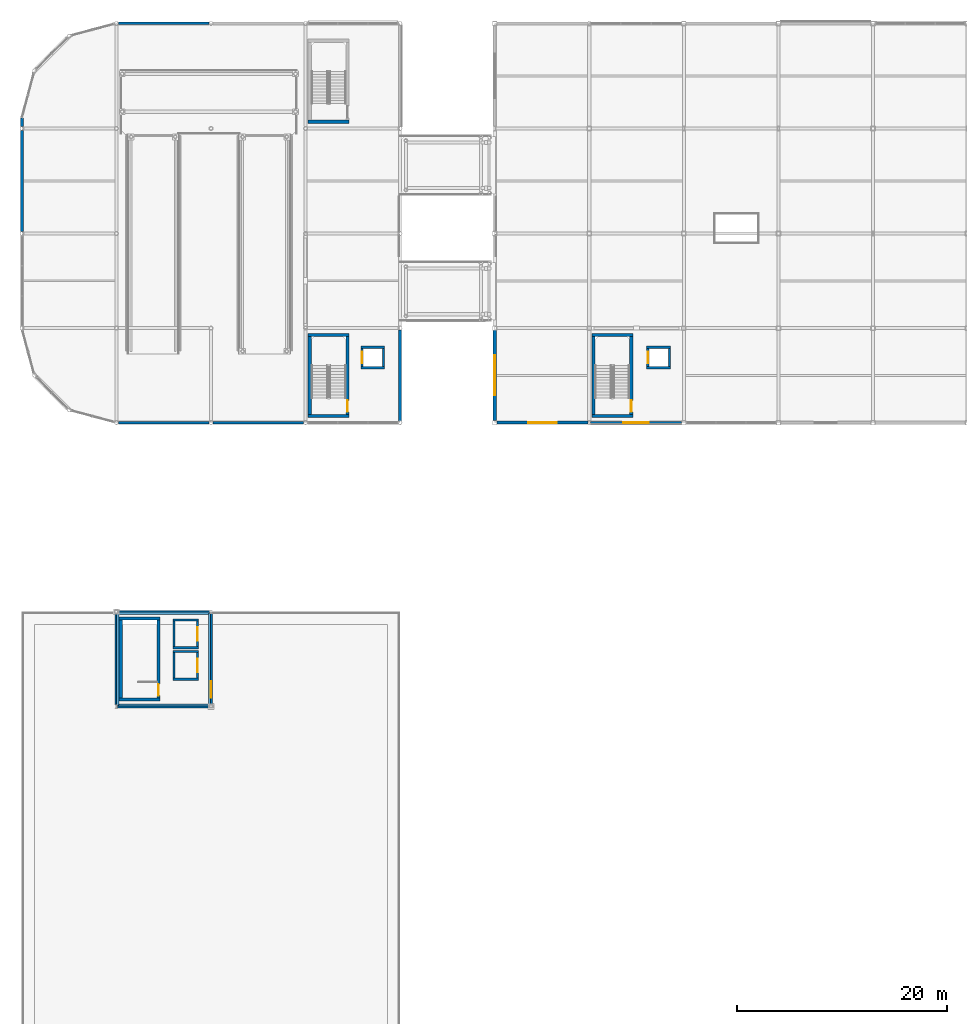
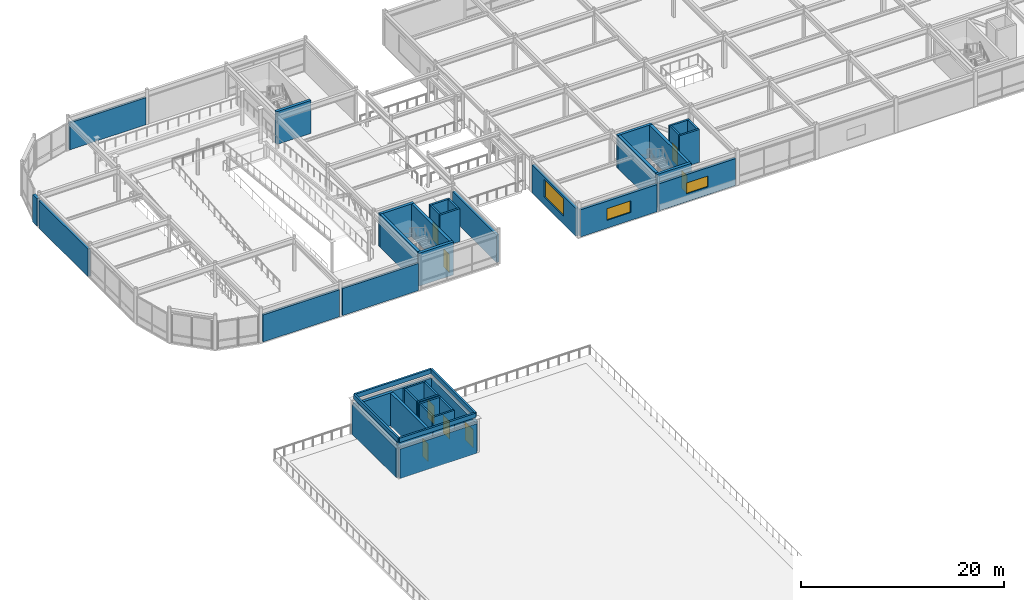
# One storey, part 46 of 70: 46 walls, 8 doors, 3 windows, 11 openings.
"""IFC4 building model written with IfcOpenShell, lengths in metres."""

from ifc_helpers import new_model, si_unit, direction, frame, frame_2d, origin, place, context, subcontext, project, spatial, rectangle, extrude, material, layer, layer_set, type_object, element, fill, save


model = new_model("IFC4")

# Units and contexts
model_context = context("Model", 3, precision=1e-05, world=origin(), true_north=direction((0.0, 1.0)))
body_context = subcontext(model_context, "Body", "Model", "MODEL_VIEW")
ifc_project = project(units=[si_unit("LENGTHUNIT", "METRE"), si_unit("AREAUNIT", "SQUARE_METRE"), si_unit("VOLUMEUNIT", "CUBIC_METRE"), si_unit("PLANEANGLEUNIT", "RADIAN"), si_unit("MASSUNIT", "GRAM", prefix="KILO")], contexts=[model_context])

# Site, building, storey
site_placement = place(None, origin())
site = spatial("IfcSite", under=ifc_project, at=site_placement, CompositionType="ELEMENT")
building_placement = place(site_placement, origin())
building = spatial("IfcBuilding", under=site, at=building_placement, Name="Suzunagisa Mobility Hub", CompositionType="ELEMENT")
storey_placement = place(building_placement, frame((0.0, 0.0, 13.5)))
storey = spatial("IfcBuildingStorey", under=building, at=storey_placement, Name="L03", CompositionType="ELEMENT", Elevation=13.5)

# Wall
ifc_material_1 = material(Name="Porcelain-Faced Insulated Concrete C30/37 Wall", Category="concrete")
ifc_layer_1 = layer(ifc_material_1, 0.260009765625)
ifc_layer_set_1 = layer_set([ifc_layer_1], Name="Porcelain-Faced Insulated Concrete C30/37 Wall")
wall_type_1 = type_object("IfcWallType", Name="Exterior Wall EW-03 260mm", PredefinedType="SOLIDWALL", material=ifc_layer_set_1)
wall_1_placement = place(storey_placement, frame((9.177734375, 80.0, 0.0), z_axis=(0.0, 0.0, 1.0), x_axis=(1.0, 0.0, 0.0)))
element("IfcWall", 1, at=wall_1_placement, inside=storey, type_object=wall_type_1, Name="L03 Exterior Facade Wall EW-122", PredefinedType="SOLIDWALL", context=body_context, shape_type="SweptSolid", body=[
    extrude(rectangle(XDim=8.64453125, YDim=0.260009765625, at=frame_2d((4.322265625, 0.0))), origin(), (0.0, 0.0, 1.0), 3.25),
])

# Wall, opening, window
wall_2_placement = place(storey_placement, frame((54.10009765625, 80.0, 0.0), z_axis=(0.0, 0.0, 1.0), x_axis=(1.0, 0.0, 0.0)))
wall_2 = element("IfcWall", 2, at=wall_2_placement, inside=storey, type_object=wall_type_1, Name="L03 Exterior Facade Wall EW-210", PredefinedType="SOLIDWALL", context=body_context, shape_type="SweptSolid", body=[
    extrude(rectangle(XDim=8.699951171875, YDim=0.260009765625, at=frame_2d((4.35009765625, 0.0))), origin(), (0.0, 0.0, 1.0), 3.25),
])
opening_1_placement = place(wall_2_placement, frame((3.14990234375, 0.0, 0.949951171875)))
opening_1 = element("IfcOpeningElement", 3, at=opening_1_placement, cuts=wall_2, Name="Opening WN-30", PredefinedType="OPENING", context=body_context, shape_type="SweptSolid", body=[
    extrude(rectangle(XDim=2.39990234375, YDim=1.300048828125, at=frame_2d((1.199951171875, 0.64990234375))), frame((0.0, 0.14111328125, 0.0), z_axis=(0.0, -1.0, 0.0), x_axis=(1.0, 0.0, 0.0)), (0.0, 0.0, 1.0), 0.281982421875),
])
ifc_material_2 = material(Name="Thermally Broken Anodized Aluminum and Low-E Double Glazing", Category="aluminium")
window_type_1 = type_object("IfcWindowType", Name="Aluminum Window WN-30 2400x1300", PartitioningType="SINGLE_PANEL", PredefinedType="WINDOW", material=ifc_material_2)
window_1_placement = place(opening_1_placement, origin())
window_1 = element("IfcWindow", 4, at=window_1_placement, inside=storey, type_object=window_type_1, Name="L03 Scheduled Facade Window WN-79", OverallHeight=1.300048828125, OverallWidth=2.39990234375, PartitioningType="SINGLE_PANEL", PredefinedType="WINDOW", context=body_context, shape_type="SweptSolid", body=[
    extrude(rectangle(XDim=2.39990234375, YDim=1.300048828125, at=frame_2d((1.199951171875, 0.64990234375))), frame((0.0, 0.030029296875, 0.0), z_axis=(0.0, -1.0, 0.0), x_axis=(1.0, 0.0, 0.0)), (0.0, 0.0, 1.0), 0.06005859375),
])
fill(opening_1, window_1)

# Walls
ifc_material_3 = material(Name="Lightweight Insulated Autoclaved Concrete C30/37 Wall", Category="concrete")
ifc_layer_2 = layer(ifc_material_3, 0.239990234375)
ifc_layer_set_2 = layer_set([ifc_layer_2], Name="Lightweight Insulated Autoclaved Concrete C30/37 Wall")
wall_type_2 = type_object("IfcWallType", Name="Exterior Wall EW-04 240mm", PredefinedType="SOLIDWALL", material=ifc_layer_set_2)
for number, where, z_axis, x_axis, name in (
    (5, (18.177734375, 80.0, 0.0), (0.0, 0.0, 1.0), (1.0, 0.0, 0.0), "L03 Exterior Facade Wall EW-123"),
    (6, (17.822265625, 118.0, 0.0), (0.0, 0.0, 1.0), (-1.0, 0.0, 0.0), "L03 Exterior Facade Wall EW-127"),
):
    element("IfcWall", number, at=place(storey_placement, frame(where, z_axis=z_axis, x_axis=x_axis)), inside=storey, type_object=wall_type_2, Name=name, PredefinedType="SOLIDWALL", context=body_context, shape_type="SweptSolid", body=[
        extrude(rectangle(XDim=8.64453125, YDim=0.239990234375, at=frame_2d((4.322265625, 0.0))), origin(), (0.0, 0.0, 1.0), 3.25),
    ])
ifc_material_4 = material(Name="Concrete C30/37", Category="concrete")
ifc_layer_3 = layer(ifc_material_4, 0.219970703125)
ifc_layer_set_3 = layer_set([ifc_layer_3], Name="Concrete C30/37")
wall_type_3 = type_object("IfcWallType", Name="Exterior Wall EW-05 220mm", PredefinedType="PARAPET", material=ifc_layer_set_3)
for number, where, z_axis, x_axis, name in (
    (7, (9.139892578125, 53.139892578125, 4.199951171875), (0.0, 0.0, 1.0), (0.0, 1.0, 0.0), "L03 Roof Setback Parapet PR-515"),
    (8, (9.139892578125, 61.860107421875, 4.199951171875), (0.0, 0.0, 1.0), (1.0, 0.0, 0.0), "L03 Roof Setback Parapet PR-516"),
    (9, (17.860107421875, 61.860107421875, 4.199951171875), (0.0, 0.0, 1.0), (0.0, -1.0, 0.0), "L03 Roof Setback Parapet PR-517"),
    (10, (17.860107421875, 53.139892578125, 4.199951171875), (0.0, 0.0, 1.0), (-1.0, 0.0, 0.0), "L03 Roof Setback Parapet PR-518"),
):
    element("IfcWall", number, at=place(storey_placement, frame(where, z_axis=z_axis, x_axis=x_axis)), inside=storey, type_object=wall_type_3, Name=name, PredefinedType="PARAPET", context=body_context, shape_type="SweptSolid", body=[
        extrude(rectangle(XDim=8.72021484375, YDim=0.219970703125, at=frame_2d((4.360107421875, 0.0))), origin(), (0.0, 0.0, 1.0), 0.52001953125),
    ])
ifc_layer_4 = layer(ifc_material_1, 0.280029296875)
ifc_layer_set_4 = layer_set([ifc_layer_4], Name="Porcelain-Faced Insulated Concrete C30/37 Wall")
wall_type_4 = type_object("IfcWallType", Name="Exterior Wall EW-08 280mm", PredefinedType="SOLIDWALL", material=ifc_layer_set_4)
wall_3_placement = place(storey_placement, frame((0.0, 107.822265625, 0.0), z_axis=(0.0, 0.0, 1.0), x_axis=(0.0, -1.0, 0.0)))
element("IfcWall", 11, at=wall_3_placement, inside=storey, type_object=wall_type_4, Name="L03 Exterior Facade Wall EW-129", PredefinedType="SOLIDWALL", context=body_context, shape_type="SweptSolid", body=[
    extrude(rectangle(XDim=9.64453125, YDim=0.280029296875, at=frame_2d((4.822265625, 0.0))), origin(), (0.0, 0.0, 1.0), 3.300048828125),
])

# Wall, opening, window
wall_4_placement = place(storey_placement, frame((45.199951171875, 80.0, 0.0), z_axis=(0.0, 0.0, 1.0), x_axis=(1.0, 0.0, 0.0)))
wall_4 = element("IfcWall", 12, at=wall_4_placement, inside=storey, type_object=wall_type_4, Name="L03 Exterior Facade Wall EW-209", PredefinedType="SOLIDWALL", context=body_context, shape_type="SweptSolid", body=[
    extrude(rectangle(XDim=8.699951171875, YDim=0.280029296875, at=frame_2d((4.35009765625, 0.0))), origin(), (0.0, 0.0, 1.0), 3.25),
])
opening_2_placement = place(wall_4_placement, frame((3.0, 0.0, 0.949951171875)))
opening_2 = element("IfcOpeningElement", 13, at=opening_2_placement, cuts=wall_4, Name="Opening WN-20", PredefinedType="OPENING", context=body_context, shape_type="SweptSolid", body=[
    extrude(rectangle(XDim=2.699951171875, YDim=1.39990234375, at=frame_2d((1.35009765625, 0.699951171875))), frame((0.0, 0.15087890625, 0.0), z_axis=(0.0, -1.0, 0.0), x_axis=(1.0, 0.0, 0.0)), (0.0, 0.0, 1.0), 0.302001953125),
])
window_type_2 = type_object("IfcWindowType", Name="Aluminum Window WN-20 2700x1400", PartitioningType="SINGLE_PANEL", PredefinedType="WINDOW", material=ifc_material_2)
window_2_placement = place(opening_2_placement, origin())
window_2 = element("IfcWindow", 14, at=window_2_placement, inside=storey, type_object=window_type_2, Name="L03 Scheduled Facade Window WN-78", OverallHeight=1.39990234375, OverallWidth=2.699951171875, PartitioningType="SINGLE_PANEL", PredefinedType="WINDOW", context=body_context, shape_type="SweptSolid", body=[
    extrude(rectangle(XDim=2.699951171875, YDim=1.39990234375, at=frame_2d((1.35009765625, 0.699951171875))), frame((0.0, 0.030029296875, 0.0), z_axis=(0.0, -1.0, 0.0), x_axis=(1.0, 0.0, 0.0)), (0.0, 0.0, 1.0), 0.06005859375),
])
fill(opening_2, window_2)

# Walls
for number, where, z_axis, x_axis, name in (
    (15, (9.125, 53.0, 0.0), (0.0, 0.0, 1.0), (1.0, 0.0, 0.0), "L03 Core C1 Penthouse Exterior Wall 454"),
    (16, (17.875, 62.0, 0.0), (0.0, 0.0, 1.0), (-1.0, 0.0, 0.0), "L03 Core C1 Penthouse Exterior Wall 455"),
):
    element("IfcWall", number, at=place(storey_placement, frame(where, z_axis=z_axis, x_axis=x_axis)), inside=storey, type_object=wall_type_4, Name=name, PredefinedType="SOLIDWALL", context=body_context, shape_type="SweptSolid", body=[
        extrude(rectangle(XDim=8.72509765625, YDim=0.280029296875, at=frame_2d((4.362548828125, 0.0))), origin(), (0.0, 0.0, 1.0), 3.550048828125),
    ])
wall_5_placement = place(storey_placement, frame((9.0, 53.169921875, 0.0), z_axis=(0.0, 0.0, 1.0), x_axis=(0.0, 1.0, 0.0)))
element("IfcWall", 17, at=wall_5_placement, inside=storey, type_object=wall_type_4, Name="L03 Core C1 Penthouse Exterior Wall 456", PredefinedType="SOLIDWALL", context=body_context, shape_type="SweptSolid", body=[
    extrude(rectangle(XDim=8.68017578125, YDim=0.280029296875, at=frame_2d((4.340087890625, 0.0))), origin(), (0.0, 0.0, 1.0), 3.550048828125),
])

# Wall, opening, door
wall_6_placement = place(storey_placement, frame((18.0, 53.14990234375, 0.0), z_axis=(0.0, 0.0, 1.0), x_axis=(0.0, 1.0, 0.0)))
wall_6 = element("IfcWall", 18, at=wall_6_placement, inside=storey, type_object=wall_type_4, Name="L03 Core C1 Penthouse Exterior Wall 457", PredefinedType="SOLIDWALL", context=body_context, shape_type="SweptSolid", body=[
    extrude(rectangle(XDim=8.68017578125, YDim=0.280029296875, at=frame_2d((4.340087890625, 0.0))), origin(), (0.0, 0.0, 1.0), 3.550048828125),
])
opening_3_placement = place(wall_6_placement, frame((2.25, 0.0, 0.0), z_axis=(0.0, 0.0, 1.0), x_axis=(-1.0, 0.0, 0.0)))
opening_3 = element("IfcOpeningElement", 19, at=opening_3_placement, cuts=wall_6, Name="Opening ED-03", PredefinedType="OPENING", context=body_context, shape_type="SweptSolid", body=[
    extrude(rectangle(XDim=1.60009765625, YDim=2.199951171875, at=frame_2d((0.800048828125, 1.10009765625))), frame((0.0, 0.15087890625, 0.0), z_axis=(0.0, -1.0, 0.0), x_axis=(1.0, 0.0, 0.0)), (0.0, 0.0, 1.0), 0.302001953125),
])
ifc_material_5 = material(Name="Anodized Aluminum and Tempered Safety Glass", Category="aluminium")
door_type_1 = type_object("IfcDoorType", Name="Exterior Glazed Aluminum Door ED-03 1600x2200", OperationType="DOUBLE_DOOR_SINGLE_SWING", PredefinedType="DOOR", material=ifc_material_5)
door_1_placement = place(opening_3_placement, origin())
door_1 = element("IfcDoor", 20, at=door_1_placement, inside=storey, type_object=door_type_1, Name="L03 Core C1 Roof Garden Terrace Door TD-44", OperationType="SINGLE_SWING_LEFT", OverallHeight=2.199951171875, OverallWidth=1.60009765625, PredefinedType="DOOR", context=body_context, shape_type="SweptSolid", body=[
    extrude(rectangle(XDim=1.60009765625, YDim=2.199951171875, at=frame_2d((0.800048828125, 1.10009765625))), frame((0.0, 0.02490234375, 0.0), z_axis=(0.0, -1.0, 0.0), x_axis=(1.0, 0.0, 0.0)), (0.0, 0.0, 1.0), 0.050048828125),
])
fill(opening_3, door_1)

# Walls
ifc_material_6 = material(Name="Insulated Precast Concrete C35/45 Panel", Category="concrete")
ifc_layer_5 = layer(ifc_material_6, 0.300048828125)
ifc_layer_set_5 = layer_set([ifc_layer_5], Name="Insulated Precast Concrete C35/45 Panel")
wall_type_5 = type_object("IfcWallType", Name="Exterior Wall EW-09 300mm", PredefinedType="SOLIDWALL", material=ifc_layer_set_5)
wall_7_placement = place(storey_placement, frame((36.0, 80.177734375, 0.0), z_axis=(0.0, 0.0, 1.0), x_axis=(0.0, 1.0, 0.0)))
element("IfcWall", 21, at=wall_7_placement, inside=storey, type_object=wall_type_5, Name="L03 Exterior Facade Wall EW-124", PredefinedType="SOLIDWALL", context=body_context, shape_type="SweptSolid", body=[
    extrude(rectangle(XDim=8.64453125, YDim=0.300048828125, at=frame_2d((4.322265625, 0.0))), origin(), (0.0, 0.0, 1.0), 3.300048828125),
])
wall_8_placement = place(storey_placement, frame((0.0, 109.0, 0.0), z_axis=(0.0, 0.0, 1.0), x_axis=(0.0, -1.0, 0.0)))
element("IfcWall", 22, at=wall_8_placement, inside=storey, type_object=wall_type_5, Name="L03 Exterior Facade Wall EW-128", PredefinedType="SOLIDWALL", context=body_context, shape_type="SweptSolid", body=[
    extrude(rectangle(XDim=0.822265625, YDim=0.300048828125, at=frame_2d((0.4111328125, 0.0))), origin(), (0.0, 0.0, 1.0), 3.300048828125),
])

# Wall, opening, window
wall_9_placement = place(storey_placement, frame((45.0, 88.800048828125, 0.0), z_axis=(0.0, 0.0, 1.0), x_axis=(0.0, -1.0, 0.0)))
wall_9 = element("IfcWall", 23, at=wall_9_placement, inside=storey, type_object=wall_type_5, Name="L03 Exterior Facade Wall EW-224", PredefinedType="SOLIDWALL", context=body_context, shape_type="SweptSolid", body=[
    extrude(rectangle(XDim=8.60009765625, YDim=0.300048828125, at=frame_2d((4.300048828125, 0.0))), origin(), (0.0, 0.0, 1.0), 3.362060546875),
])
opening_4_placement = place(wall_9_placement, frame((2.39990234375, 0.0, 0.949951171875)))
opening_4 = element("IfcOpeningElement", 24, at=opening_4_placement, cuts=wall_9, Name="Opening WN-18", PredefinedType="OPENING", context=body_context, shape_type="SweptSolid", body=[
    extrude(rectangle(XDim=3.800048828125, YDim=2.10009765625, at=frame_2d((1.89990234375, 1.050048828125))), frame((0.0, 0.1611328125, 0.0), z_axis=(0.0, -1.0, 0.0), x_axis=(1.0, 0.0, 0.0)), (0.0, 0.0, 1.0), 0.322021484375),
])
window_type_3 = type_object("IfcWindowType", Name="Aluminum Window WN-18 3800x2100", PartitioningType="SINGLE_PANEL", PredefinedType="WINDOW", material=ifc_material_2)
window_3_placement = place(opening_4_placement, origin())
window_3 = element("IfcWindow", 25, at=window_3_placement, inside=storey, type_object=window_type_3, Name="L03 Scheduled Facade Window WN-82", OverallHeight=2.10009765625, OverallWidth=3.800048828125, PartitioningType="SINGLE_PANEL", PredefinedType="WINDOW", context=body_context, shape_type="SweptSolid", body=[
    extrude(rectangle(XDim=3.800048828125, YDim=2.10009765625, at=frame_2d((1.89990234375, 1.050048828125))), frame((0.0, 0.030029296875, 0.0), z_axis=(0.0, -1.0, 0.0), x_axis=(1.0, 0.0, 0.0)), (0.0, 0.0, 1.0), 0.06005859375),
])
fill(opening_4, window_3)

# Walls
ifc_material_7 = material(Name="Concrete C35/45", Category="concrete")
ifc_layer_6 = layer(ifc_material_7, 0.31005859375)
ifc_layer_set_6 = layer_set([ifc_layer_6], Name="Concrete C35/45")
wall_type_6 = type_object("IfcWallType", Name="Interior Wall IW-01 310mm", PredefinedType="SHEAR", material=ifc_layer_set_6)
for number, where, z_axis, x_axis, name in (
    (26, (9.25, 53.64501953125, 0.0), (0.0, 0.0, 1.0), (1.0, 0.0, 0.0), "L03 Core C1 Shear Wall SW-49"),
    (27, (9.25, 61.35498046875, 0.0), (0.0, 0.0, 1.0), (1.0, 0.0, 0.0), "L03 Core C1 Shear Wall SW-50"),
):
    element("IfcWall", number, at=place(storey_placement, frame(where, z_axis=z_axis, x_axis=x_axis)), inside=storey, type_object=wall_type_6, Name=name, PredefinedType="SHEAR", context=body_context, shape_type="SweptSolid", body=[
        extrude(rectangle(XDim=3.89990234375, YDim=0.31005859375, at=frame_2d((1.949951171875, 0.0))), origin(), (0.0, 0.0, 1.0), 3.93994140625),
    ])
wall_10_placement = place(storey_placement, frame((9.405029296875, 53.800048828125, 0.0), z_axis=(0.0, 0.0, 1.0), x_axis=(0.0, 1.0, 0.0)))
element("IfcWall", 28, at=wall_10_placement, inside=storey, type_object=wall_type_6, Name="L03 Core C1 Shear Wall SW-51", PredefinedType="SHEAR", context=body_context, shape_type="SweptSolid", body=[
    extrude(rectangle(XDim=7.39990234375, YDim=0.31005859375, at=frame_2d((3.699951171875, 0.0))), origin(), (0.0, 0.0, 1.0), 3.93994140625),
])

# Wall, opening, door
wall_11_placement = place(storey_placement, frame((12.9951171875, 53.800048828125, 0.0), z_axis=(0.0, 0.0, 1.0), x_axis=(0.0, 1.0, 0.0)))
wall_11 = element("IfcWall", 29, at=wall_11_placement, inside=storey, type_object=wall_type_6, Name="L03 Core C1 Shear Wall SW-52", PredefinedType="SHEAR", context=body_context, shape_type="SweptSolid", body=[
    extrude(rectangle(XDim=7.39990234375, YDim=0.31005859375, at=frame_2d((3.699951171875, 0.0))), origin(), (0.0, 0.0, 1.0), 3.93994140625),
])
opening_5_placement = place(wall_11_placement, frame((0.219970703125, 0.0, 0.0)))
opening_5 = element("IfcOpeningElement", 30, at=opening_5_placement, cuts=wall_11, Name="Opening DR-05", PredefinedType="OPENING", context=body_context, shape_type="SweptSolid", body=[
    extrude(rectangle(XDim=1.10009765625, YDim=2.14990234375, at=frame_2d((0.550048828125, 1.074951171875))), frame((0.0, 0.166015625, 0.0), z_axis=(0.0, -1.0, 0.0), x_axis=(1.0, 0.0, 0.0)), (0.0, 0.0, 1.0), 0.33203125),
])
ifc_material_8 = material(Name="Fire-Rated Hollow Steel Stair Door", Category="steel")
door_type_2 = type_object("IfcDoorType", Name="Interior Door DR-05 1100x2150", OperationType="SINGLE_SWING_LEFT", PredefinedType="DOOR", material=ifc_material_8)
door_2_placement = place(opening_5_placement, origin())
door_2 = element("IfcDoor", 31, at=door_2_placement, inside=storey, type_object=door_type_2, Name="L03 Core C1 Escape Stair Fire Door SD-13", OperationType="SINGLE_SWING_RIGHT", OverallHeight=2.14990234375, OverallWidth=1.10009765625, PredefinedType="DOOR", context=body_context, shape_type="SweptSolid", body=[
    extrude(rectangle(XDim=1.10009765625, YDim=2.14990234375, at=frame_2d((0.550048828125, 1.074951171875))), frame((0.0, 0.02490234375, 0.0), z_axis=(0.0, -1.0, 0.0), x_axis=(1.0, 0.0, 0.0)), (0.0, 0.0, 1.0), 0.050048828125),
])
fill(opening_5, door_2)

# Walls
for number, where, z_axis, x_axis, name in (
    (32, (27.25, 80.64501953125, 0.0), (0.0, 0.0, 1.0), (1.0, 0.0, 0.0), "L03 Core C6 Shear Wall SW-141"),
    (33, (27.25, 88.35498046875, 0.0), (0.0, 0.0, 1.0), (1.0, 0.0, 0.0), "L03 Core C6 Shear Wall SW-142"),
):
    element("IfcWall", number, at=place(storey_placement, frame(where, z_axis=z_axis, x_axis=x_axis)), inside=storey, type_object=wall_type_6, Name=name, PredefinedType="SHEAR", context=body_context, shape_type="SweptSolid", body=[
        extrude(rectangle(XDim=3.89990234375, YDim=0.31005859375, at=frame_2d((1.949951171875, 0.0))), origin(), (0.0, 0.0, 1.0), 3.949951171875),
    ])
wall_12_placement = place(storey_placement, frame((27.405029296875, 80.800048828125, 0.0), z_axis=(0.0, 0.0, 1.0), x_axis=(0.0, 1.0, 0.0)))
element("IfcWall", 34, at=wall_12_placement, inside=storey, type_object=wall_type_6, Name="L03 Core C6 Shear Wall SW-143", PredefinedType="SHEAR", context=body_context, shape_type="SweptSolid", body=[
    extrude(rectangle(XDim=7.39990234375, YDim=0.31005859375, at=frame_2d((3.699951171875, 0.0))), origin(), (0.0, 0.0, 1.0), 3.949951171875),
])

# Wall, opening, door
wall_13_placement = place(storey_placement, frame((30.9951171875, 80.800048828125, 0.0), z_axis=(0.0, 0.0, 1.0), x_axis=(0.0, 1.0, 0.0)))
wall_13 = element("IfcWall", 35, at=wall_13_placement, inside=storey, type_object=wall_type_6, Name="L03 Core C6 Shear Wall SW-144", PredefinedType="SHEAR", context=body_context, shape_type="SweptSolid", body=[
    extrude(rectangle(XDim=7.39990234375, YDim=0.31005859375, at=frame_2d((3.699951171875, 0.0))), origin(), (0.0, 0.0, 1.0), 3.949951171875),
])
opening_6_placement = place(wall_13_placement, frame((0.219970703125, 0.0, 0.0)))
opening_6 = element("IfcOpeningElement", 36, at=opening_6_placement, cuts=wall_13, Name="Opening DR-05", PredefinedType="OPENING", context=body_context, shape_type="SweptSolid", body=[
    extrude(rectangle(XDim=1.10009765625, YDim=2.14990234375, at=frame_2d((0.550048828125, 1.074951171875))), frame((0.0, 0.166015625, 0.0), z_axis=(0.0, -1.0, 0.0), x_axis=(1.0, 0.0, 0.0)), (0.0, 0.0, 1.0), 0.33203125),
])
door_3_placement = place(opening_6_placement, origin())
door_3 = element("IfcDoor", 37, at=door_3_placement, inside=storey, type_object=door_type_2, Name="L03 Core C6 Escape Stair Fire Door SD-34", OperationType="SINGLE_SWING_LEFT", OverallHeight=2.14990234375, OverallWidth=1.10009765625, PredefinedType="DOOR", context=body_context, shape_type="SweptSolid", body=[
    extrude(rectangle(XDim=1.10009765625, YDim=2.14990234375, at=frame_2d((0.550048828125, 1.074951171875))), frame((0.0, 0.02490234375, 0.0), z_axis=(0.0, -1.0, 0.0), x_axis=(1.0, 0.0, 0.0)), (0.0, 0.0, 1.0), 0.050048828125),
])
fill(opening_6, door_3)

# Walls
wall_14_placement = place(storey_placement, frame((27.25, 108.64501953125, 0.0), z_axis=(0.0, 0.0, 1.0), x_axis=(1.0, 0.0, 0.0)))
element("IfcWall", 38, at=wall_14_placement, inside=storey, type_object=wall_type_6, Name="L03 Core C6B Shear Wall SW-173", PredefinedType="SHEAR", context=body_context, shape_type="SweptSolid", body=[
    extrude(rectangle(XDim=3.89990234375, YDim=0.31005859375, at=frame_2d((1.949951171875, 0.0))), origin(), (0.0, 0.0, 1.0), 3.949951171875),
])
for number, where, z_axis, x_axis, name in (
    (39, (54.25, 80.64501953125, 0.0), (0.0, 0.0, 1.0), (1.0, 0.0, 0.0), "L03 Core C3 Shear Wall SW-213"),
    (40, (54.25, 88.35498046875, 0.0), (0.0, 0.0, 1.0), (1.0, 0.0, 0.0), "L03 Core C3 Shear Wall SW-214"),
):
    element("IfcWall", number, at=place(storey_placement, frame(where, z_axis=z_axis, x_axis=x_axis)), inside=storey, type_object=wall_type_6, Name=name, PredefinedType="SHEAR", context=body_context, shape_type="SweptSolid", body=[
        extrude(rectangle(XDim=3.89990234375, YDim=0.31005859375, at=frame_2d((1.949951171875, 0.0))), origin(), (0.0, 0.0, 1.0), 3.93994140625),
    ])
wall_15_placement = place(storey_placement, frame((54.405029296875, 80.800048828125, 0.0), z_axis=(0.0, 0.0, 1.0), x_axis=(0.0, 1.0, 0.0)))
element("IfcWall", 41, at=wall_15_placement, inside=storey, type_object=wall_type_6, Name="L03 Core C3 Shear Wall SW-215", PredefinedType="SHEAR", context=body_context, shape_type="SweptSolid", body=[
    extrude(rectangle(XDim=7.39990234375, YDim=0.31005859375, at=frame_2d((3.699951171875, 0.0))), origin(), (0.0, 0.0, 1.0), 3.93994140625),
])

# Wall, opening, door
wall_16_placement = place(storey_placement, frame((57.9951171875, 80.800048828125, 0.0), z_axis=(0.0, 0.0, 1.0), x_axis=(0.0, 1.0, 0.0)))
wall_16 = element("IfcWall", 42, at=wall_16_placement, inside=storey, type_object=wall_type_6, Name="L03 Core C3 Shear Wall SW-216", PredefinedType="SHEAR", context=body_context, shape_type="SweptSolid", body=[
    extrude(rectangle(XDim=7.39990234375, YDim=0.31005859375, at=frame_2d((3.699951171875, 0.0))), origin(), (0.0, 0.0, 1.0), 3.93994140625),
])
opening_7_placement = place(wall_16_placement, frame((0.219970703125, 0.0, 0.0)))
opening_7 = element("IfcOpeningElement", 43, at=opening_7_placement, cuts=wall_16, Name="Opening DR-05", PredefinedType="OPENING", context=body_context, shape_type="SweptSolid", body=[
    extrude(rectangle(XDim=1.10009765625, YDim=2.14990234375, at=frame_2d((0.550048828125, 1.074951171875))), frame((0.0, 0.166015625, 0.0), z_axis=(0.0, -1.0, 0.0), x_axis=(1.0, 0.0, 0.0)), (0.0, 0.0, 1.0), 0.33203125),
])
door_4_placement = place(opening_7_placement, origin())
door_4 = element("IfcDoor", 44, at=door_4_placement, inside=storey, type_object=door_type_2, Name="L03 Core C3 Escape Stair Fire Door SD-52", OperationType="SINGLE_SWING_LEFT", OverallHeight=2.14990234375, OverallWidth=1.10009765625, PredefinedType="DOOR", context=body_context, shape_type="SweptSolid", body=[
    extrude(rectangle(XDim=1.10009765625, YDim=2.14990234375, at=frame_2d((0.550048828125, 1.074951171875))), frame((0.0, 0.02490234375, 0.0), z_axis=(0.0, -1.0, 0.0), x_axis=(1.0, 0.0, 0.0)), (0.0, 0.0, 1.0), 0.050048828125),
])
fill(opening_7, door_4)

ifc_material_9 = material(Name="Fire-Rated Gypsum Stud Partition", Category="gypsum")
ifc_layer_7 = layer(ifc_material_9, 0.2099609375)
ifc_layer_set_7 = layer_set([ifc_layer_7], Name="Fire-Rated Gypsum Stud Partition")
wall_type_7 = type_object("IfcWallType", Name="Interior Wall IW-03 210mm", PredefinedType="PARTITIONING", material=ifc_layer_set_7)
wall_17_placement = place(storey_placement, frame((16.72509765625, 55.679931640625, 0.0), z_axis=(0.0, 0.0, 1.0), x_axis=(0.0, 1.0, 0.0)))
wall_17 = element("IfcWall", 45, at=wall_17_placement, inside=storey, type_object=wall_type_7, Name="L03 Lift LF-01 Shaft Front Wall", PredefinedType="PARTITIONING", context=body_context, shape_type="SweptSolid", body=[
    extrude(rectangle(XDim=2.440185546875, YDim=0.2099609375, at=frame_2d((1.22021484375, 0.0))), origin(), (0.0, 0.0, 1.0), 3.93994140625),
])
opening_8_placement = place(wall_17_placement, frame((0.570068359375, 0.0, 0.0)))
opening_8 = element("IfcOpeningElement", 46, at=opening_8_placement, cuts=wall_17, Name="Opening LD-02", PredefinedType="OPENING", context=body_context, shape_type="SweptSolid", body=[
    extrude(rectangle(XDim=1.300048828125, YDim=2.199951171875, at=frame_2d((0.64990234375, 1.10009765625))), frame((0.0, 0.115966796875, 0.0), z_axis=(0.0, -1.0, 0.0), x_axis=(1.0, 0.0, 0.0)), (0.0, 0.0, 1.0), 0.23193359375),
])
ifc_material_10 = material(Name="Brushed Stainless Steel SUS304", Category="metal")
door_type_3 = type_object("IfcDoorType", Name="Lift Landing Sliding Door LD-02 1300x2200", OperationType="SLIDING_TO_LEFT", PredefinedType="DOOR", material=ifc_material_10)
door_5_placement = place(opening_8_placement, origin())
door_5 = element("IfcDoor", 47, at=door_5_placement, inside=storey, type_object=door_type_3, Name="L03 Lift LF-01 Sliding Landing Door", OperationType="SLIDING_TO_RIGHT", OverallHeight=2.199951171875, OverallWidth=1.300048828125, PredefinedType="DOOR", context=body_context, shape_type="SweptSolid", body=[
    extrude(rectangle(XDim=1.300048828125, YDim=2.199951171875, at=frame_2d((0.64990234375, 1.10009765625))), frame((0.0, 0.02490234375, 0.0), z_axis=(0.0, -1.0, 0.0), x_axis=(1.0, 0.0, 0.0)), (0.0, 0.0, 1.0), 0.050048828125),
])
fill(opening_8, door_5)

# Walls
wall_18_placement = place(storey_placement, frame((14.47509765625, 55.679931640625, 0.0), z_axis=(0.0, 0.0, 1.0), x_axis=(0.0, 1.0, 0.0)))
element("IfcWall", 48, at=wall_18_placement, inside=storey, type_object=wall_type_7, Name="L03 Lift LF-01 Shaft Back Wall", PredefinedType="PARTITIONING", context=body_context, shape_type="SweptSolid", body=[
    extrude(rectangle(XDim=2.440185546875, YDim=0.2099609375, at=frame_2d((1.22021484375, 0.0))), origin(), (0.0, 0.0, 1.0), 3.93994140625),
])
for number, where, z_axis, x_axis, name in (
    (49, (14.3701171875, 55.574951171875, 0.0), (0.0, 0.0, 1.0), (1.0, 0.0, 0.0), "L03 Lift LF-01 Shaft South Wall"),
    (50, (14.3701171875, 58.22509765625, 0.0), (0.0, 0.0, 1.0), (1.0, 0.0, 0.0), "L03 Lift LF-01 Shaft North Wall"),
):
    element("IfcWall", number, at=place(storey_placement, frame(where, z_axis=z_axis, x_axis=x_axis)), inside=storey, type_object=wall_type_7, Name=name, PredefinedType="PARTITIONING", context=body_context, shape_type="SweptSolid", body=[
        extrude(rectangle(XDim=2.4599609375, YDim=0.2099609375, at=frame_2d((1.22998046875, 0.0))), origin(), (0.0, 0.0, 1.0), 3.93994140625),
    ])

# Wall, opening, door
wall_19_placement = place(storey_placement, frame((16.72509765625, 58.679931640625, 0.0), z_axis=(0.0, 0.0, 1.0), x_axis=(0.0, 1.0, 0.0)))
wall_19 = element("IfcWall", 51, at=wall_19_placement, inside=storey, type_object=wall_type_7, Name="L03 Lift LF-02 Shaft Front Wall", PredefinedType="PARTITIONING", context=body_context, shape_type="SweptSolid", body=[
    extrude(rectangle(XDim=2.440185546875, YDim=0.2099609375, at=frame_2d((1.22021484375, 0.0))), origin(), (0.0, 0.0, 1.0), 3.93994140625),
])
opening_9_placement = place(wall_19_placement, frame((0.570068359375, 0.0, 0.0)))
opening_9 = element("IfcOpeningElement", 52, at=opening_9_placement, cuts=wall_19, Name="Opening LD-02", PredefinedType="OPENING", context=body_context, shape_type="SweptSolid", body=[
    extrude(rectangle(XDim=1.300048828125, YDim=2.199951171875, at=frame_2d((0.64990234375, 1.10009765625))), frame((0.0, 0.115966796875, 0.0), z_axis=(0.0, -1.0, 0.0), x_axis=(1.0, 0.0, 0.0)), (0.0, 0.0, 1.0), 0.23193359375),
])
door_6_placement = place(opening_9_placement, origin())
door_6 = element("IfcDoor", 53, at=door_6_placement, inside=storey, type_object=door_type_3, Name="L03 Lift LF-02 Sliding Landing Door", OperationType="SLIDING_TO_LEFT", OverallHeight=2.199951171875, OverallWidth=1.300048828125, PredefinedType="DOOR", context=body_context, shape_type="SweptSolid", body=[
    extrude(rectangle(XDim=1.300048828125, YDim=2.199951171875, at=frame_2d((0.64990234375, 1.10009765625))), frame((0.0, 0.02490234375, 0.0), z_axis=(0.0, -1.0, 0.0), x_axis=(1.0, 0.0, 0.0)), (0.0, 0.0, 1.0), 0.050048828125),
])
fill(opening_9, door_6)

# Walls
wall_20_placement = place(storey_placement, frame((14.47509765625, 58.679931640625, 0.0), z_axis=(0.0, 0.0, 1.0), x_axis=(0.0, 1.0, 0.0)))
element("IfcWall", 54, at=wall_20_placement, inside=storey, type_object=wall_type_7, Name="L03 Lift LF-02 Shaft Back Wall", PredefinedType="PARTITIONING", context=body_context, shape_type="SweptSolid", body=[
    extrude(rectangle(XDim=2.440185546875, YDim=0.2099609375, at=frame_2d((1.22021484375, 0.0))), origin(), (0.0, 0.0, 1.0), 3.93994140625),
])
for number, where, z_axis, x_axis, name in (
    (55, (14.3701171875, 58.574951171875, 0.0), (0.0, 0.0, 1.0), (1.0, 0.0, 0.0), "L03 Lift LF-02 Shaft South Wall"),
    (56, (14.3701171875, 61.22509765625, 0.0), (0.0, 0.0, 1.0), (1.0, 0.0, 0.0), "L03 Lift LF-02 Shaft North Wall"),
):
    element("IfcWall", number, at=place(storey_placement, frame(where, z_axis=z_axis, x_axis=x_axis)), inside=storey, type_object=wall_type_7, Name=name, PredefinedType="PARTITIONING", context=body_context, shape_type="SweptSolid", body=[
        extrude(rectangle(XDim=2.4599609375, YDim=0.2099609375, at=frame_2d((1.22998046875, 0.0))), origin(), (0.0, 0.0, 1.0), 3.93994140625),
    ])

# Wall, opening, door
wall_21_placement = place(storey_placement, frame((32.375, 85.330078125, 0.0), z_axis=(0.0, 0.0, 1.0), x_axis=(0.0, 1.0, 0.0)))
wall_21 = element("IfcWall", 57, at=wall_21_placement, inside=storey, type_object=wall_type_7, Name="L03 Lift LF-09 Shaft Front Wall", PredefinedType="PARTITIONING", context=body_context, shape_type="SweptSolid", body=[
    extrude(rectangle(XDim=1.739990234375, YDim=0.2099609375, at=frame_2d((0.8701171875, 0.0))), origin(), (0.0, 0.0, 1.0), 3.949951171875),
])
opening_10_placement = place(wall_21_placement, frame((0.320068359375, 0.0, 0.0)))
opening_10 = element("IfcOpeningElement", 58, at=opening_10_placement, cuts=wall_21, Name="Opening LD-01", PredefinedType="OPENING", context=body_context, shape_type="SweptSolid", body=[
    extrude(rectangle(XDim=1.10009765625, YDim=2.14990234375, at=frame_2d((0.550048828125, 1.074951171875))), frame((0.0, 0.115966796875, 0.0), z_axis=(0.0, -1.0, 0.0), x_axis=(1.0, 0.0, 0.0)), (0.0, 0.0, 1.0), 0.23193359375),
])
door_type_4 = type_object("IfcDoorType", Name="Lift Landing Sliding Door LD-01 1100x2150", OperationType="SLIDING_TO_LEFT", PredefinedType="DOOR", material=ifc_material_10)
door_7_placement = place(opening_10_placement, origin())
door_7 = element("IfcDoor", 59, at=door_7_placement, inside=storey, type_object=door_type_4, Name="L03 Lift LF-09 Sliding Landing Door", OperationType="SLIDING_TO_LEFT", OverallHeight=2.14990234375, OverallWidth=1.10009765625, PredefinedType="DOOR", context=body_context, shape_type="SweptSolid", body=[
    extrude(rectangle(XDim=1.10009765625, YDim=2.14990234375, at=frame_2d((0.550048828125, 1.074951171875))), frame((0.0, 0.02490234375, 0.0), z_axis=(0.0, -1.0, 0.0), x_axis=(1.0, 0.0, 0.0)), (0.0, 0.0, 1.0), 0.050048828125),
])
fill(opening_10, door_7)

# Walls
wall_22_placement = place(storey_placement, frame((34.425048828125, 85.330078125, 0.0), z_axis=(0.0, 0.0, 1.0), x_axis=(0.0, 1.0, 0.0)))
element("IfcWall", 60, at=wall_22_placement, inside=storey, type_object=wall_type_7, Name="L03 Lift LF-09 Shaft Back Wall", PredefinedType="PARTITIONING", context=body_context, shape_type="SweptSolid", body=[
    extrude(rectangle(XDim=1.739990234375, YDim=0.2099609375, at=frame_2d((0.8701171875, 0.0))), origin(), (0.0, 0.0, 1.0), 3.949951171875),
])
for number, where, z_axis, x_axis, name in (
    (61, (32.27001953125, 85.22509765625, 0.0), (0.0, 0.0, 1.0), (1.0, 0.0, 0.0), "L03 Lift LF-09 Shaft South Wall"),
    (62, (32.27001953125, 87.175048828125, 0.0), (0.0, 0.0, 1.0), (1.0, 0.0, 0.0), "L03 Lift LF-09 Shaft North Wall"),
):
    element("IfcWall", number, at=place(storey_placement, frame(where, z_axis=z_axis, x_axis=x_axis)), inside=storey, type_object=wall_type_7, Name=name, PredefinedType="PARTITIONING", context=body_context, shape_type="SweptSolid", body=[
        extrude(rectangle(XDim=2.260009765625, YDim=0.2099609375, at=frame_2d((1.1298828125, 0.0))), origin(), (0.0, 0.0, 1.0), 3.949951171875),
    ])

# Wall, opening, door
wall_23_placement = place(storey_placement, frame((59.574951171875, 85.330078125, 0.0), z_axis=(0.0, 0.0, 1.0), x_axis=(0.0, 1.0, 0.0)))
wall_23 = element("IfcWall", 63, at=wall_23_placement, inside=storey, type_object=wall_type_7, Name="L03 Lift LF-04 Shaft Front Wall", PredefinedType="PARTITIONING", context=body_context, shape_type="SweptSolid", body=[
    extrude(rectangle(XDim=1.739990234375, YDim=0.2099609375, at=frame_2d((0.8701171875, 0.0))), origin(), (0.0, 0.0, 1.0), 3.93994140625),
])
opening_11_placement = place(wall_23_placement, frame((0.320068359375, 0.0, 0.0)))
opening_11 = element("IfcOpeningElement", 64, at=opening_11_placement, cuts=wall_23, Name="Opening LD-01", PredefinedType="OPENING", context=body_context, shape_type="SweptSolid", body=[
    extrude(rectangle(XDim=1.10009765625, YDim=2.14990234375, at=frame_2d((0.550048828125, 1.074951171875))), frame((0.0, 0.115966796875, 0.0), z_axis=(0.0, -1.0, 0.0), x_axis=(1.0, 0.0, 0.0)), (0.0, 0.0, 1.0), 0.23193359375),
])
door_8_placement = place(opening_11_placement, origin())
door_8 = element("IfcDoor", 65, at=door_8_placement, inside=storey, type_object=door_type_4, Name="L03 Lift LF-04 Sliding Landing Door", OperationType="SLIDING_TO_LEFT", OverallHeight=2.14990234375, OverallWidth=1.10009765625, PredefinedType="DOOR", context=body_context, shape_type="SweptSolid", body=[
    extrude(rectangle(XDim=1.10009765625, YDim=2.14990234375, at=frame_2d((0.550048828125, 1.074951171875))), frame((0.0, 0.02490234375, 0.0), z_axis=(0.0, -1.0, 0.0), x_axis=(1.0, 0.0, 0.0)), (0.0, 0.0, 1.0), 0.050048828125),
])
fill(opening_11, door_8)

# Walls
wall_24_placement = place(storey_placement, frame((61.625, 85.330078125, 0.0), z_axis=(0.0, 0.0, 1.0), x_axis=(0.0, 1.0, 0.0)))
element("IfcWall", 66, at=wall_24_placement, inside=storey, type_object=wall_type_7, Name="L03 Lift LF-04 Shaft Back Wall", PredefinedType="PARTITIONING", context=body_context, shape_type="SweptSolid", body=[
    extrude(rectangle(XDim=1.739990234375, YDim=0.2099609375, at=frame_2d((0.8701171875, 0.0))), origin(), (0.0, 0.0, 1.0), 3.93994140625),
])
for number, where, z_axis, x_axis, name in (
    (67, (59.469970703125, 85.22509765625, 0.0), (0.0, 0.0, 1.0), (1.0, 0.0, 0.0), "L03 Lift LF-04 Shaft South Wall"),
    (68, (59.469970703125, 87.175048828125, 0.0), (0.0, 0.0, 1.0), (1.0, 0.0, 0.0), "L03 Lift LF-04 Shaft North Wall"),
):
    element("IfcWall", number, at=place(storey_placement, frame(where, z_axis=z_axis, x_axis=x_axis)), inside=storey, type_object=wall_type_7, Name=name, PredefinedType="PARTITIONING", context=body_context, shape_type="SweptSolid", body=[
        extrude(rectangle(XDim=2.260009765625, YDim=0.2099609375, at=frame_2d((1.1298828125, 0.0))), origin(), (0.0, 0.0, 1.0), 3.93994140625),
    ])

save(model, "model.ifc")
